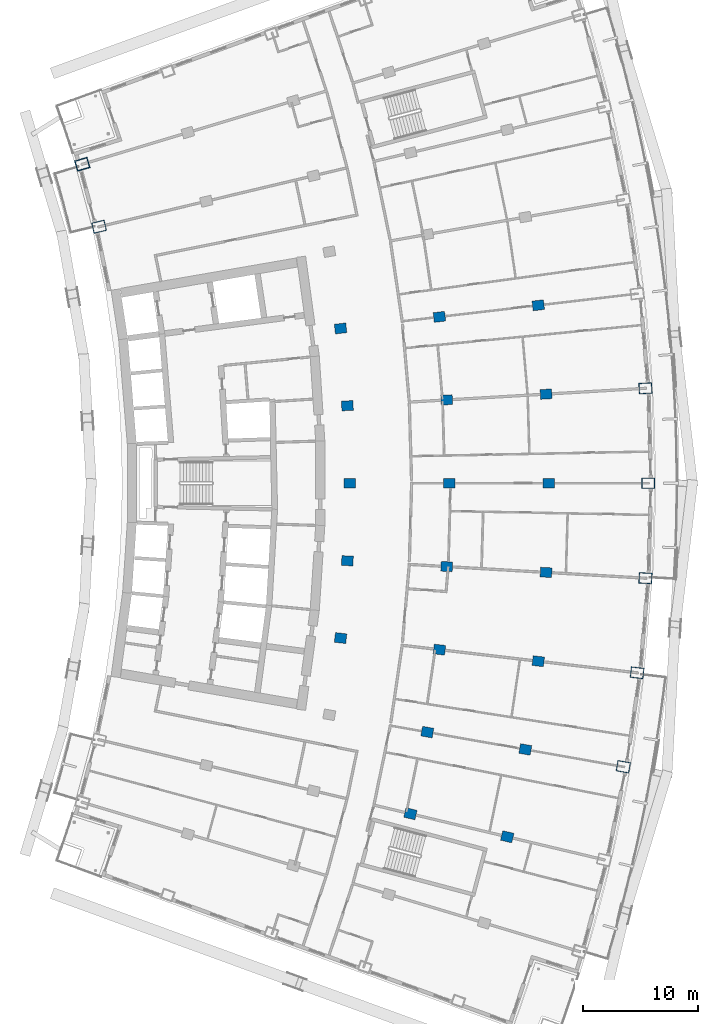
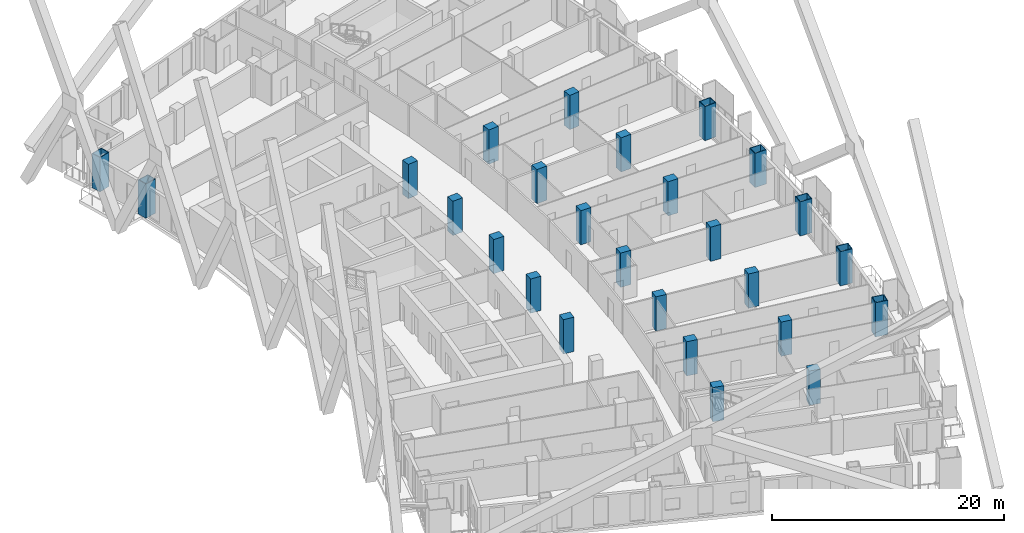
# One storey, part 6 of 26: 26 columns.
"""IFC4 building model written with IfcOpenShell, lengths in metres."""

from ifc_helpers import new_model, si_unit, direction, frame, origin, origin_2d, place, context, subcontext, project, spatial, rectangle, hollow_rectangle, extrude, material, material_profile, profile_set, type_object, element, save


model = new_model("IFC4")

# Units and contexts
model_context = context("Model", 3, precision=1e-05, world=origin(), true_north=direction((0.0, 1.0)))
body_context = subcontext(model_context, "Body", "Model", "MODEL_VIEW")
ifc_project = project(units=[si_unit("LENGTHUNIT", "METRE"), si_unit("AREAUNIT", "SQUARE_METRE"), si_unit("VOLUMEUNIT", "CUBIC_METRE"), si_unit("PLANEANGLEUNIT", "RADIAN"), si_unit("MASSUNIT", "GRAM", prefix="KILO")], contexts=[model_context])

# Site, building, storey
site_placement = place(None, origin())
site = spatial("IfcSite", under=ifc_project, at=site_placement, CompositionType="ELEMENT")
building_placement = place(site_placement, origin())
building = spatial("IfcBuilding", under=site, at=building_placement, Name="Alderwake Tower", CompositionType="ELEMENT")
storey_placement = place(building_placement, frame((0.0, 0.0, 82.39990234375)))
storey = spatial("IfcBuildingStorey", under=building, at=storey_placement, Name="L19", CompositionType="ELEMENT", Elevation=82.39990234375)

# Columns
ifc_material_1 = material(Name="Concrete C70/85", Category="concrete")
ifc_material_profile_1 = material_profile(ifc_material_1, rectangle(XDim=0.85009765625, YDim=1.0, at=origin_2d()), Name="RC 1000X850")
ifc_profile_set_1 = profile_set([ifc_material_profile_1], Name="Concrete C70/85")
column_type_1 = type_object("IfcColumnType", Name="Interior column Z2", PredefinedType="COLUMN", material=ifc_profile_set_1)
for number, where, z_axis, x_axis, name in (
    (1, (41.09375, 32.220703125, 0.0), (0.0, 0.0, 1.0), (0.231221547198, 0.972901123502, 0.0), "Column R03-C3"),
    (2, (49.525390625, 30.216796875, 0.0), (0.0, 0.0, 1.0), (0.231221547198, 0.972901123502, 0.0), "Column R03-C4"),
    (3, (42.565673828125, 39.329345703125, 0.0), (0.0, 0.0, 1.0), (0.174108800747, 0.984726421654, 0.0), "Column R04-C3"),
    (4, (51.099853515625, 37.8203125, 0.0), (0.0, 0.0, 1.0), (0.174108800747, 0.984726421654, 0.0), "Column R04-C4"),
    (5, (35.0126953125, 47.5205078125, 0.0), (0.0, 0.0, 1.0), (0.116402054316, 0.993202175668, 0.0), "Column R05-C2"),
    (6, (43.62060546875, 46.51171875, 0.0), (0.0, 0.0, 1.0), (0.116402054316, 0.993202175668, 0.0), "Column R05-C3"),
    (7, (52.228271484375, 45.5029296875, 0.0), (0.0, 0.0, 1.0), (0.116402054316, 0.993202175668, 0.0), "Column R05-C4"),
    (8, (35.60302734375, 54.248779296875, 0.0), (0.0, 0.0, 1.0), (0.058301061284, 0.998299046505, 0.0), "Column R06-C2"),
    (9, (44.2548828125, 53.74365234375, 0.0), (0.0, 0.0, 1.0), (0.058299318924, 0.998299148258, 0.0), "Column R06-C3"),
    (10, (52.906982421875, 53.23828125, 0.0), (0.0, 0.0, 1.0), (0.058301061284, 0.998299046505, 0.0), "Column R06-C4"),
    (11, (35.800048828125, 61.0, 0.0), (0.0, 0.0, 1.0), (0.0, 1.0, 0.0), "Column R07-C2"),
    (12, (44.466796875, 61.0, 0.0), (0.0, 0.0, 1.0), (0.0, 1.0, 0.0), "Column R07-C3"),
    (13, (53.13330078125, 61.0, 0.0), (0.0, 0.0, 1.0), (0.0, 1.0, 0.0), "Column R07-C4"),
    (14, (35.60302734375, 67.751220703125, 0.0), (0.0, 0.0, 1.0), (-0.058301061284, 0.998299046505, 0.0), "Column R08-C2"),
    (15, (44.2548828125, 68.25634765625, 0.0), (0.0, 0.0, 1.0), (-0.058299318924, 0.998299148258, 0.0), "Column R08-C3"),
    (16, (52.906982421875, 68.76171875, 0.0), (0.0, 0.0, 1.0), (-0.058301061284, 0.998299046505, 0.0), "Column R08-C4"),
    (17, (35.0126953125, 74.4794921875, 0.0), (0.0, 0.0, 1.0), (-0.116402054316, 0.993202175668, 0.0), "Column R09-C2"),
    (18, (43.62060546875, 75.48828125, 0.0), (0.0, 0.0, 1.0), (-0.116402054316, 0.993202175668, 0.0), "Column R09-C3"),
    (19, (52.228271484375, 76.4970703125, 0.0), (0.0, 0.0, 1.0), (-0.116402054316, 0.993202175668, 0.0), "Column R09-C4"),
):
    element("IfcColumn", number, at=place(storey_placement, frame(where, z_axis=z_axis, x_axis=x_axis)), inside=storey, type_object=column_type_1, Name=name, PredefinedType="COLUMN", context=body_context, shape_type="SweptSolid", body=[
        extrude(rectangle(XDim=0.85009765625, YDim=1.0, at=origin_2d()), origin(), (0.0, 0.0, 1.0), 3.60009765625),
    ])
ifc_material_2 = material(Name="Steel ASTM A572 Grade 50 concrete filled C70/85", Category="concrete")
ifc_material_profile_2 = material_profile(ifc_material_2, hollow_rectangle(XDim=0.949951171875, YDim=1.14990234375, WallThickness=0.06005859375, at=origin_2d()), Name="BOX 1150X950X60")
ifc_profile_set_2 = profile_set([ifc_material_profile_2], Name="Steel ASTM A572 Grade 50 concrete filled C70/85")
column_type_2 = type_object("IfcColumnType", Name="Perimeter column Z2", PredefinedType="COLUMN", material=ifc_profile_set_2)
for number, where, z_axis, x_axis, name in (
    (20, (59.63427734375, 36.3115234375, 0.0), (0.0, 0.0, 1.0), (0.174107082075, 0.984726725529, 0.0), "Column R04-C5"),
    (21, (60.836181640625, 44.494140625, 0.0), (0.0, 0.0, 1.0), (0.116402054316, 0.993202175668, 0.0), "Column R05-C5"),
    (22, (61.558837890625, 52.73291015625, 0.0), (0.0, 0.0, 1.0), (0.058301061284, 0.998299046505, 0.0), "Column R06-C5"),
    (23, (61.800048828125, 61.0, 0.0), (0.0, 0.0, 1.0), (0.0, 1.0, 0.0), "Column R07-C5"),
    (24, (61.558837890625, 69.26708984375, 0.0), (0.0, 0.0, 1.0), (-0.058301061284, 0.998299046505, 0.0), "Column R08-C5"),
    (25, (13.982177734375, 83.3359375, 0.0), (0.0, 0.0, 1.0), (-0.231221547198, 0.972901123502, 0.0), "Column R11-C0"),
    (26, (12.520263671875, 88.777099609375, 0.0), (0.0, 0.0, 1.0), (-0.287549418125, 0.957765802342, 0.0), "Column R12-C0"),
):
    element("IfcColumn", number, at=place(storey_placement, frame(where, z_axis=z_axis, x_axis=x_axis)), inside=storey, type_object=column_type_2, Name=name, PredefinedType="COLUMN", context=body_context, shape_type="SweptSolid", body=[
        extrude(hollow_rectangle(XDim=0.949951171875, YDim=1.14990234375, WallThickness=0.06005859375, at=origin_2d()), origin(), (0.0, 0.0, 1.0), 3.60009765625),
    ])

save(model, "model.ifc")
